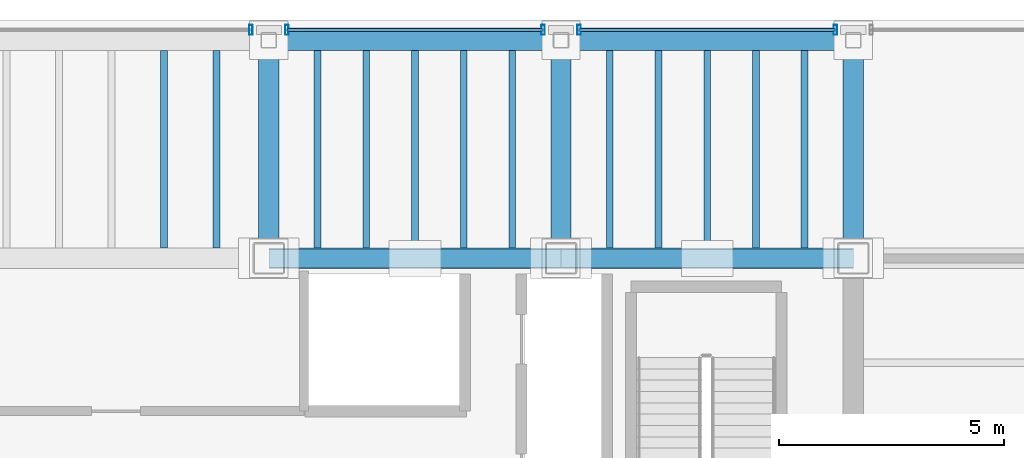
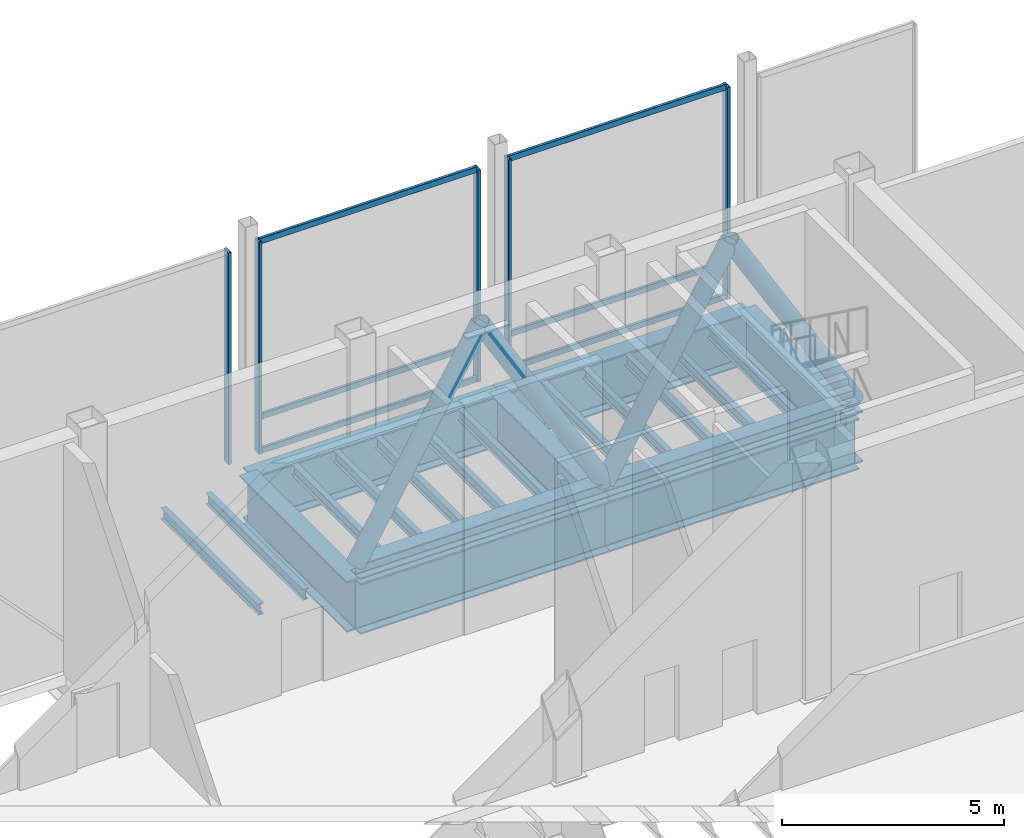
# One storey, part 13 of 19: 19 beams, 17 members, 3 elements without a shape of their own.
"""IFC4 building model written with IfcOpenShell, lengths in metres."""

from ifc_helpers import new_model, si_unit, direction, frame, origin, origin_2d, place, context, subcontext, project, spatial, hollow_rectangle, hollow_circle, i_section, extrude, material, material_profile, profile_set, type_object, element, aggregate, save


model = new_model("IFC4")

# Units and contexts
model_context = context("Model", 3, precision=1e-05, world=origin(), true_north=direction((0.0, 1.0)))
body_context = subcontext(model_context, "Body", "Model", "MODEL_VIEW")
ifc_project = project(units=[si_unit("LENGTHUNIT", "METRE"), si_unit("AREAUNIT", "SQUARE_METRE"), si_unit("VOLUMEUNIT", "CUBIC_METRE"), si_unit("PLANEANGLEUNIT", "RADIAN"), si_unit("MASSUNIT", "GRAM", prefix="KILO")], contexts=[model_context])

# Site, building, storey
site_placement = place(None, origin())
site = spatial("IfcSite", under=ifc_project, at=site_placement, CompositionType="ELEMENT")
building_placement = place(site_placement, origin())
building = spatial("IfcBuilding", under=site, at=building_placement, Name="Noeulbin Bourse Tower", CompositionType="ELEMENT")
storey_placement = place(building_placement, frame((0.0, 0.0, 306.0)))
storey = spatial("IfcBuildingStorey", under=building, at=storey_placement, Name="L76", CompositionType="ELEMENT", Elevation=306.0)

# Beams
ifc_material_1 = material(Name="Steel S355", Category="steel")
ifc_material_profile_1 = material_profile(ifc_material_1, i_section(OverallWidth=0.14990234375, OverallDepth=0.300048828125, WebThickness=0.006591796875, FlangeThickness=0.009033203125, FilletRadius=0.012939453125, at=origin_2d()), Name="H-300x150x6.5x9", Category="LoadBearing")
ifc_profile_set_1 = profile_set([ifc_material_profile_1], Name="Steel S355")
beam_type_1 = type_object("IfcBeamType", Name="BM-JST-300", PredefinedType="JOIST", material=ifc_profile_set_1)
for number, where, z_axis, x_axis, name in (
    (1, (28.666748046875, 38.52490234375, -0.449951171875), (0.0, 1.0, 0.0), (-1.0, 0.0, 0.0), "Tower Composite Joist L76-08"),
    (2, (29.833251953125, 38.52490234375, -0.449951171875), (0.0, 1.0, 0.0), (-1.0, 0.0, 0.0), "Tower Composite Joist L76-10"),
    (3, (32.083251953125, 38.52490234375, -0.449951171875), (0.0, 1.0, 0.0), (-1.0, 0.0, 0.0), "Tower Composite Joist L76-12"),
    (4, (33.166748046875, 38.52490234375, -0.449951171875), (0.0, 1.0, 0.0), (-1.0, 0.0, 0.0), "Tower Composite Joist L76-14"),
    (5, (34.25, 38.52490234375, -0.449951171875), (0.0, 1.0, 0.0), (-1.0, 0.0, 0.0), "Tower Composite Joist L76-16"),
    (6, (35.333251953125, 38.52490234375, -0.449951171875), (0.0, 1.0, 0.0), (-1.0, 0.0, 0.0), "Tower Composite Joist L76-18"),
    (7, (36.416748046875, 38.52490234375, -0.449951171875), (0.0, 1.0, 0.0), (-1.0, 0.0, 0.0), "Tower Composite Joist L76-20"),
    (8, (38.583251953125, 38.52490234375, -0.449951171875), (0.0, 1.0, 0.0), (-1.0, 0.0, 0.0), "Tower Composite Joist L76-22"),
    (9, (39.666748046875, 38.52490234375, -0.449951171875), (0.0, 1.0, 0.0), (-1.0, 0.0, 0.0), "Tower Composite Joist L76-24"),
    (10, (40.75, 38.52490234375, -0.449951171875), (0.0, 1.0, 0.0), (-1.0, 0.0, 0.0), "Tower Composite Joist L76-26"),
    (11, (41.833251953125, 38.52490234375, -0.449951171875), (0.0, 1.0, 0.0), (-1.0, 0.0, 0.0), "Tower Composite Joist L76-28"),
    (12, (42.916748046875, 38.52490234375, -0.449951171875), (0.0, 1.0, 0.0), (-1.0, 0.0, 0.0), "Tower Composite Joist L76-30"),
):
    element("IfcBeam", number, at=place(storey_placement, frame(where, z_axis=z_axis, x_axis=x_axis)), inside=storey, type_object=beam_type_1, Name=name, PredefinedType="JOIST", context=body_context, shape_type="SweptSolid", body=[
        extrude(i_section(OverallWidth=0.14990234375, OverallDepth=0.300048828125, WebThickness=0.006591796875, FlangeThickness=0.009033203125, FilletRadius=0.012939453125, at=origin_2d()), origin(), (0.0, 0.0, 1.0), 4.400146484375),
    ])
ifc_material_2 = material(Name="Steel S460", Category="steel")
ifc_material_profile_2 = material_profile(ifc_material_2, i_section(OverallWidth=0.449951171875, OverallDepth=1.39990234375, WebThickness=0.02392578125, FlangeThickness=0.0400390625, FilletRadius=0.02392578125, at=origin_2d()), Name="PG-1400x450x24x40", Category="LoadBearing")
ifc_profile_set_2 = profile_set([ifc_material_profile_2], Name="Steel S460")
beam_type_2 = type_object("IfcBeamType", Name="BM-TRF-1400", PredefinedType="USERDEFINED", material=ifc_profile_set_2)
for number, where, z_axis, x_axis, name in (
    (13, (31.0, 38.300048828125, -1.0), (1.0, 0.0, 0.0), (0.0, 1.0, 0.0), "Tower Primary Girder EW L76-3.2"),
    (14, (37.5, 38.300048828125, -1.0), (1.0, 0.0, 0.0), (0.0, 1.0, 0.0), "Tower Primary Girder EW L76-3.3"),
):
    element("IfcBeam", number, at=place(storey_placement, frame(where, z_axis=z_axis, x_axis=x_axis)), inside=storey, type_object=beam_type_2, Name=name, ObjectType="GIRDER", PredefinedType="USERDEFINED", context=body_context, shape_type="SweptSolid", body=[
        extrude(i_section(OverallWidth=0.449951171875, OverallDepth=1.39990234375, WebThickness=0.02392578125, FlangeThickness=0.0400390625, FilletRadius=0.02392578125, at=origin_2d()), origin(), (0.0, 0.0, 1.0), 6.5),
    ])
for number, where, z_axis, x_axis, name in (
    (15, (31.0, 38.300048828125, -1.0), (0.0, 1.0, 0.0), (-1.0, 0.0, 0.0), "Tower Primary Girder NS L76-3.3"),
    (16, (37.5, 38.300048828125, -1.0), (0.0, 1.0, 0.0), (-1.0, 0.0, 0.0), "Tower Primary Girder NS L76-4.3"),
    (17, (44.0, 38.300048828125, -1.0), (0.0, 1.0, 0.0), (-1.0, 0.0, 0.0), "Tower Primary Girder NS L76-5.3"),
):
    element("IfcBeam", number, at=place(storey_placement, frame(where, z_axis=z_axis, x_axis=x_axis)), inside=storey, type_object=beam_type_2, Name=name, ObjectType="GIRDER", PredefinedType="USERDEFINED", context=body_context, shape_type="SweptSolid", body=[
        extrude(i_section(OverallWidth=0.449951171875, OverallDepth=1.39990234375, WebThickness=0.02392578125, FlangeThickness=0.0400390625, FilletRadius=0.02392578125, at=origin_2d()), origin(), (0.0, 0.0, 1.0), 4.849853515625),
    ])
for number, where, z_axis, x_axis, name in (
    (18, (31.0, 43.14990234375, -1.0), (1.0, 0.0, 0.0), (0.0, 1.0, 0.0), "North Spandrel L76-2"),
    (19, (37.5, 43.14990234375, -1.0), (1.0, 0.0, 0.0), (0.0, 1.0, 0.0), "North Spandrel L76-3"),
):
    element("IfcBeam", number, at=place(storey_placement, frame(where, z_axis=z_axis, x_axis=x_axis)), inside=storey, type_object=beam_type_2, Name=name, ObjectType="GIRDER", PredefinedType="USERDEFINED", context=body_context, shape_type="SweptSolid", body=[
        extrude(i_section(OverallWidth=0.449951171875, OverallDepth=1.39990234375, WebThickness=0.02392578125, FlangeThickness=0.0400390625, FilletRadius=0.02392578125, at=origin_2d()), origin(), (0.0, 0.0, 1.0), 6.5),
    ])

# Curtain wall, member
ifc_material_3 = material(Name="Translucent Ceramic-Fritted Glass", Category="glass")
curtain_wall_type = type_object("IfcCurtainWallType", Name="CW-SYS-5", PredefinedType="NOTDEFINED", material=ifc_material_3)
curtain_wall_1_placement = place(storey_placement, origin())
curtain_wall_1 = element("IfcCurtainWall", 20, at=curtain_wall_1_placement, inside=storey, type_object=curtain_wall_type, Name="Unitised Curtain Wall CW-L76-N-S2", PredefinedType="NOTDEFINED")
ifc_material_4 = material(Name="Anodised Aluminium 6063-T6", Category="aluminium")
ifc_material_profile_3 = material_profile(ifc_material_4, hollow_rectangle(XDim=0.074951171875, YDim=0.219970703125, WallThickness=0.0048828125, InnerFilletRadius=0.00244140625, OuterFilletRadius=0.0048828125, at=origin_2d()), Name="ALU-MULL-75x220x5", Category="LoadBearing")
ifc_profile_set_3 = profile_set([ifc_material_profile_3], Name="Anodised Aluminium 6063-T6")
member_type_1 = type_object("IfcMemberType", Name="CW-SYS-5-MUL", PredefinedType="MULLION", material=ifc_profile_set_3)
member_1_placement = place(storey_placement, frame((30.60009765625, 43.3798828125, -0.02001953125), z_axis=(0.0, 0.0, 1.0), x_axis=(1.0, 0.0, 0.0)))
member_1 = element("IfcMember", 21, at=member_1_placement, type_object=member_type_1, Name="Curtain Wall Mullion CW-L76-N-S2-M01", PredefinedType="MULLION", context=body_context, shape_type="SweptSolid", body=[
    extrude(hollow_rectangle(XDim=0.074951171875, YDim=0.219970703125, WallThickness=0.0048828125, InnerFilletRadius=0.00244140625, OuterFilletRadius=0.0048828125, at=origin_2d()), origin(), (0.0, 0.0, 1.0), 5.840087890625),
])
aggregate(curtain_wall_1, [member_1])

# Curtain wall, members
curtain_wall_2_placement = place(storey_placement, origin())
curtain_wall_2 = element("IfcCurtainWall", 22, at=curtain_wall_2_placement, inside=storey, type_object=curtain_wall_type, Name="Unitised Curtain Wall CW-L76-N-S3", PredefinedType="NOTDEFINED")
member_2_placement = place(storey_placement, frame((31.39990234375, 43.3798828125, -0.02001953125), z_axis=(0.0, 0.0, 1.0), x_axis=(1.0, 0.0, 0.0)))
member_2 = element("IfcMember", 23, at=member_2_placement, type_object=member_type_1, Name="Curtain Wall Mullion CW-L76-N-S3-M00", PredefinedType="MULLION", context=body_context, shape_type="SweptSolid", body=[
    extrude(hollow_rectangle(XDim=0.074951171875, YDim=0.219970703125, WallThickness=0.0048828125, InnerFilletRadius=0.00244140625, OuterFilletRadius=0.0048828125, at=origin_2d()), origin(), (0.0, 0.0, 1.0), 5.840087890625),
])
member_3_placement = place(storey_placement, frame((37.10009765625, 43.3798828125, -0.02001953125), z_axis=(0.0, 0.0, 1.0), x_axis=(1.0, 0.0, 0.0)))
member_3 = element("IfcMember", 24, at=member_3_placement, type_object=member_type_1, Name="Curtain Wall Mullion CW-L76-N-S3-M01", PredefinedType="MULLION", context=body_context, shape_type="SweptSolid", body=[
    extrude(hollow_rectangle(XDim=0.074951171875, YDim=0.219970703125, WallThickness=0.0048828125, InnerFilletRadius=0.00244140625, OuterFilletRadius=0.0048828125, at=origin_2d()), origin(), (0.0, 0.0, 1.0), 5.840087890625),
])

curtain_wall_3_placement = place(storey_placement, origin())
curtain_wall_3 = element("IfcCurtainWall", 25, at=curtain_wall_3_placement, inside=storey, type_object=curtain_wall_type, Name="Unitised Curtain Wall CW-L76-N-S4", PredefinedType="NOTDEFINED")
member_4_placement = place(storey_placement, frame((37.89990234375, 43.3798828125, -0.02001953125), z_axis=(0.0, 0.0, 1.0), x_axis=(1.0, 0.0, 0.0)))
member_4 = element("IfcMember", 26, at=member_4_placement, type_object=member_type_1, Name="Curtain Wall Mullion CW-L76-N-S4-M00", PredefinedType="MULLION", context=body_context, shape_type="SweptSolid", body=[
    extrude(hollow_rectangle(XDim=0.074951171875, YDim=0.219970703125, WallThickness=0.0048828125, InnerFilletRadius=0.00244140625, OuterFilletRadius=0.0048828125, at=origin_2d()), origin(), (0.0, 0.0, 1.0), 5.840087890625),
])
member_5_placement = place(storey_placement, frame((43.60009765625, 43.3798828125, -0.02001953125), z_axis=(0.0, 0.0, 1.0), x_axis=(1.0, 0.0, 0.0)))
member_5 = element("IfcMember", 27, at=member_5_placement, type_object=member_type_1, Name="Curtain Wall Mullion CW-L76-N-S4-M01", PredefinedType="MULLION", context=body_context, shape_type="SweptSolid", body=[
    extrude(hollow_rectangle(XDim=0.074951171875, YDim=0.219970703125, WallThickness=0.0048828125, InnerFilletRadius=0.00244140625, OuterFilletRadius=0.0048828125, at=origin_2d()), origin(), (0.0, 0.0, 1.0), 5.840087890625),
])

# Member
ifc_material_profile_4 = material_profile(ifc_material_4, hollow_rectangle(XDim=0.074951171875, YDim=0.159912109375, WallThickness=0.0048828125, InnerFilletRadius=0.00244140625, OuterFilletRadius=0.0048828125, at=origin_2d()), Name="ALU-TRAN-75x160x5", Category="LoadBearing")
ifc_profile_set_4 = profile_set([ifc_material_profile_4], Name="Anodised Aluminium 6063-T6")
member_type_2 = type_object("IfcMemberType", Name="CW-SYS-5-TRN", PredefinedType="USERDEFINED", material=ifc_profile_set_4)
member_6_placement = place(storey_placement, frame((31.409912109375, 43.3798828125, 0.010009765625), z_axis=(1.0, 0.0, 0.0), x_axis=(0.0, 1.0, 0.0)))
member_6 = element("IfcMember", 28, at=member_6_placement, type_object=member_type_2, Name="Curtain Wall Transom CW-L76-N-S3-T00", ObjectType="TRANSOM", PredefinedType="USERDEFINED", context=body_context, shape_type="SweptSolid", body=[
    extrude(hollow_rectangle(XDim=0.074951171875, YDim=0.159912109375, WallThickness=0.0048828125, InnerFilletRadius=0.00244140625, OuterFilletRadius=0.0048828125, at=origin_2d()), origin(), (0.0, 0.0, 1.0), 5.68017578125),
])

member_7_placement = place(storey_placement, frame((31.409912109375, 43.3798828125, 0.949951171875), z_axis=(1.0, 0.0, 0.0), x_axis=(0.0, 1.0, 0.0)))
member_7 = element("IfcMember", 29, at=member_7_placement, type_object=member_type_2, Name="Curtain Wall Transom CW-L76-N-S3-T01", ObjectType="TRANSOM", PredefinedType="USERDEFINED", context=body_context, shape_type="SweptSolid", body=[
    extrude(hollow_rectangle(XDim=0.074951171875, YDim=0.159912109375, WallThickness=0.0048828125, InnerFilletRadius=0.00244140625, OuterFilletRadius=0.0048828125, at=origin_2d()), origin(), (0.0, 0.0, 1.0), 5.68017578125),
])

member_8_placement = place(storey_placement, frame((31.409912109375, 43.3798828125, 5.7900390625), z_axis=(1.0, 0.0, 0.0), x_axis=(0.0, 1.0, 0.0)))
member_8 = element("IfcMember", 30, at=member_8_placement, type_object=member_type_2, Name="Curtain Wall Transom CW-L76-N-S3-T02", ObjectType="TRANSOM", PredefinedType="USERDEFINED", context=body_context, shape_type="SweptSolid", body=[
    extrude(hollow_rectangle(XDim=0.074951171875, YDim=0.159912109375, WallThickness=0.0048828125, InnerFilletRadius=0.00244140625, OuterFilletRadius=0.0048828125, at=origin_2d()), origin(), (0.0, 0.0, 1.0), 5.68017578125),
])

aggregate(curtain_wall_2, [member_2, member_3, member_6, member_7, member_8])

member_9_placement = place(storey_placement, frame((37.909912109375, 43.3798828125, 0.010009765625), z_axis=(1.0, 0.0, 0.0), x_axis=(0.0, 1.0, 0.0)))
member_9 = element("IfcMember", 31, at=member_9_placement, type_object=member_type_2, Name="Curtain Wall Transom CW-L76-N-S4-T00", ObjectType="TRANSOM", PredefinedType="USERDEFINED", context=body_context, shape_type="SweptSolid", body=[
    extrude(hollow_rectangle(XDim=0.074951171875, YDim=0.159912109375, WallThickness=0.0048828125, InnerFilletRadius=0.00244140625, OuterFilletRadius=0.0048828125, at=origin_2d()), origin(), (0.0, 0.0, 1.0), 5.68017578125),
])

member_10_placement = place(storey_placement, frame((37.909912109375, 43.3798828125, 0.949951171875), z_axis=(1.0, 0.0, 0.0), x_axis=(0.0, 1.0, 0.0)))
member_10 = element("IfcMember", 32, at=member_10_placement, type_object=member_type_2, Name="Curtain Wall Transom CW-L76-N-S4-T01", ObjectType="TRANSOM", PredefinedType="USERDEFINED", context=body_context, shape_type="SweptSolid", body=[
    extrude(hollow_rectangle(XDim=0.074951171875, YDim=0.159912109375, WallThickness=0.0048828125, InnerFilletRadius=0.00244140625, OuterFilletRadius=0.0048828125, at=origin_2d()), origin(), (0.0, 0.0, 1.0), 5.68017578125),
])

member_11_placement = place(storey_placement, frame((37.909912109375, 43.3798828125, 5.7900390625), z_axis=(1.0, 0.0, 0.0), x_axis=(0.0, 1.0, 0.0)))
member_11 = element("IfcMember", 33, at=member_11_placement, type_object=member_type_2, Name="Curtain Wall Transom CW-L76-N-S4-T02", ObjectType="TRANSOM", PredefinedType="USERDEFINED", context=body_context, shape_type="SweptSolid", body=[
    extrude(hollow_rectangle(XDim=0.074951171875, YDim=0.159912109375, WallThickness=0.0048828125, InnerFilletRadius=0.00244140625, OuterFilletRadius=0.0048828125, at=origin_2d()), origin(), (0.0, 0.0, 1.0), 5.68017578125),
])

aggregate(curtain_wall_3, [member_4, member_5, member_9, member_10, member_11])

# Members
ifc_material_profile_5 = material_profile(ifc_material_2, i_section(OverallWidth=0.39990234375, OverallDepth=0.39990234375, WebThickness=0.012939453125, FlangeThickness=0.02099609375, FilletRadius=0.02197265625, at=origin_2d()), Name="H-400x400x13x21", Category="LoadBearing")
ifc_profile_set_5 = profile_set([ifc_material_profile_5], Name="Steel S460")
member_type_3 = type_object("IfcMemberType", Name="MEM-CHD-400", PredefinedType="CHORD", material=ifc_profile_set_5)
for number, where, z_axis, x_axis, name in (
    (34, (31.0, 38.300048828125, 0.010009765625), (1.0, 0.0, 0.0), (0.0, 1.0, 0.0), "Outrigger Bottom Chord CH-L76-2"),
    (35, (37.5, 38.300048828125, 0.010009765625), (1.0, 0.0, 0.0), (0.0, 1.0, 0.0), "Outrigger Bottom Chord CH-L76-3"),
):
    element("IfcMember", number, at=place(storey_placement, frame(where, z_axis=z_axis, x_axis=x_axis)), inside=storey, type_object=member_type_3, Name=name, PredefinedType="CHORD", context=body_context, shape_type="SweptSolid", body=[
        extrude(i_section(OverallWidth=0.39990234375, OverallDepth=0.39990234375, WebThickness=0.012939453125, FlangeThickness=0.02099609375, FilletRadius=0.02197265625, at=origin_2d()), origin(), (0.0, 0.0, 1.0), 6.5),
    ])
ifc_material_profile_6 = material_profile(ifc_material_2, hollow_circle(Radius=0.228515625, WallThickness=0.01904296875, at=origin_2d()), Name="CHS-457.2x19.0", Category="LoadBearing")
ifc_profile_set_6 = profile_set([ifc_material_profile_6], Name="Steel S460")
member_type_4 = type_object("IfcMemberType", Name="MEM-OUT-457", PredefinedType="BRACE", material=ifc_profile_set_6)
for number, where, z_axis, x_axis, name in (
    (36, (31.0, 38.300048828125, 0.110107421875), (0.508043829093, 0.0, 0.861331218359), (0.0, 1.0, 0.0), "Outrigger Truss Diagonal OT-L76-2A"),
    (37, (34.25, 38.300048828125, 5.6201171875), (0.508043829093, 0.0, -0.861331218359), (0.0, 1.0, 0.0), "Outrigger Truss Diagonal OT-L76-2B"),
    (38, (37.5, 38.300048828125, 0.110107421875), (0.508043829093, 0.0, 0.861331218359), (0.0, 1.0, 0.0), "Outrigger Truss Diagonal OT-L76-3A"),
    (39, (40.75, 38.300048828125, 5.6201171875), (0.508043829093, 0.0, -0.861331218359), (0.0, 1.0, 0.0), "Outrigger Truss Diagonal OT-L76-3B"),
):
    element("IfcMember", number, at=place(storey_placement, frame(where, z_axis=z_axis, x_axis=x_axis)), inside=storey, type_object=member_type_4, Name=name, PredefinedType="BRACE", context=body_context, shape_type="SweptSolid", body=[
        extrude(hollow_circle(Radius=0.228515625, WallThickness=0.01904296875, at=origin_2d()), origin(), (0.0, 0.0, 1.0), 6.39697265625),
    ])

save(model, "model.ifc")
